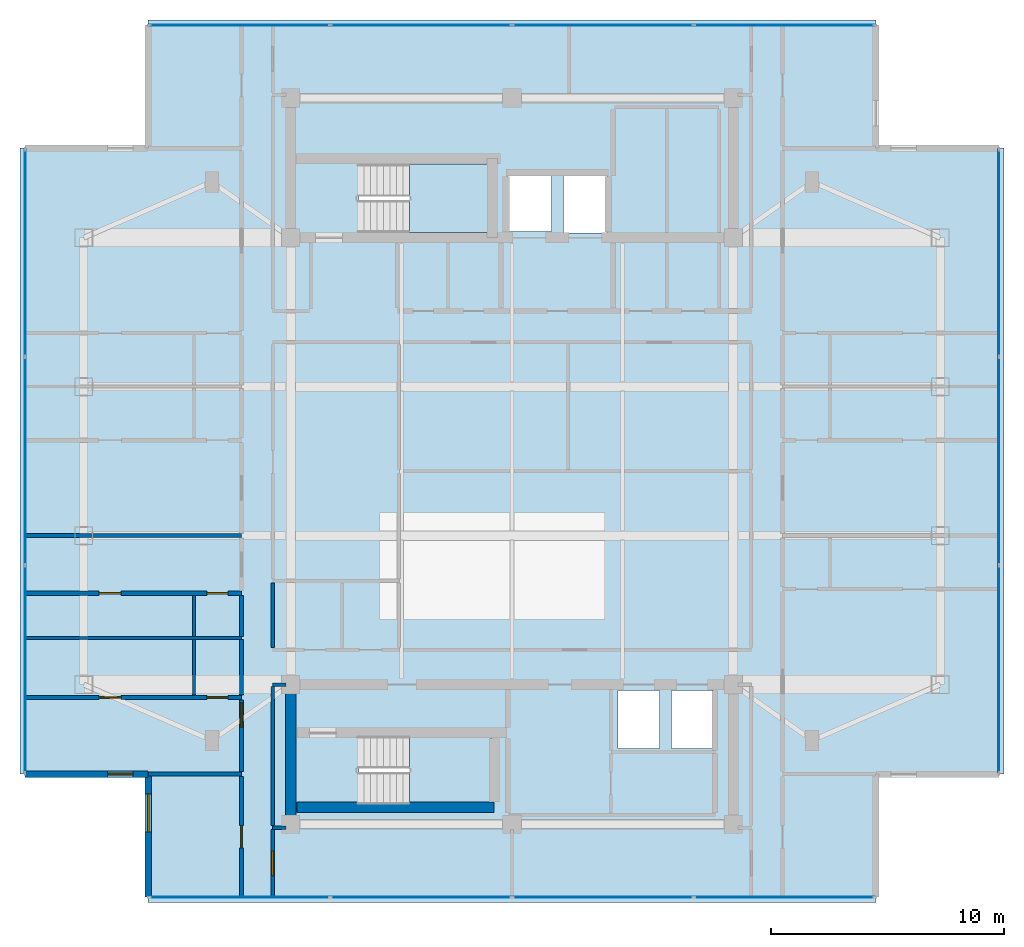
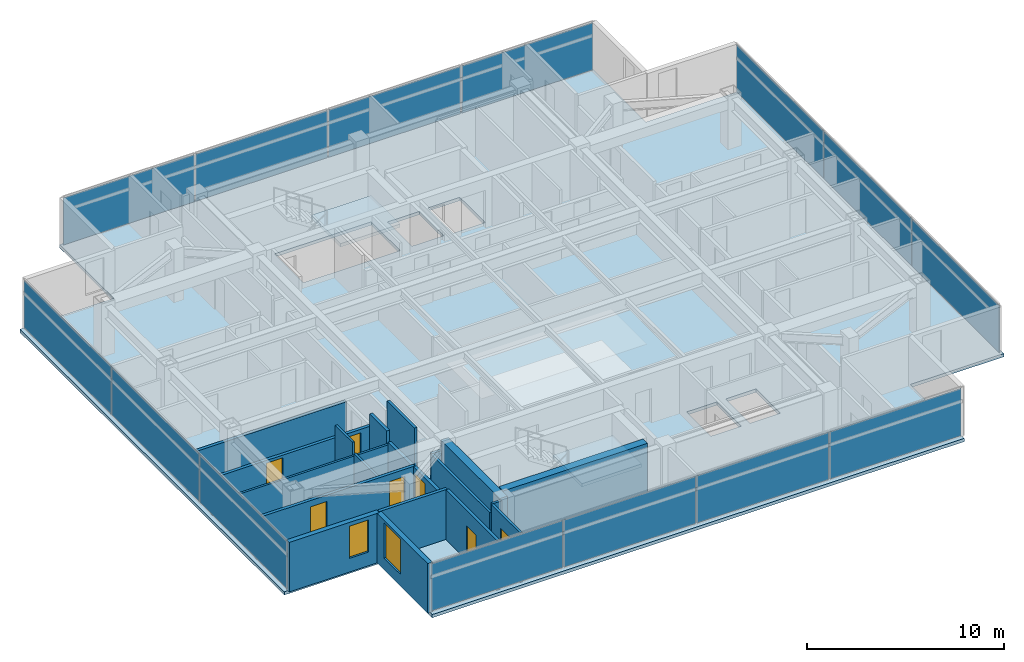
# One storey, part 7 of 15: 20 walls, 14 plates, 7 doors, 3 slabs, 2 windows, 9 openings, 6 elements without a shape of their own.
"""IFC4 building model written with IfcOpenShell, lengths in metres."""

from ifc_helpers import new_model, si_unit, direction, frame, frame_2d, origin, origin_2d, place, context, subcontext, project, spatial, polyline, rectangle, outline, extrude, material, layer, layer_set, type_object, element, fill, aggregate, save


model = new_model("IFC4")

# Units and contexts
model_context = context("Model", 3, precision=1e-05, world=origin(), true_north=direction((0.0, 1.0)))
body_context = subcontext(model_context, "Body", "Model", "MODEL_VIEW")
ifc_project = project(units=[si_unit("LENGTHUNIT", "METRE"), si_unit("AREAUNIT", "SQUARE_METRE"), si_unit("VOLUMEUNIT", "CUBIC_METRE"), si_unit("PLANEANGLEUNIT", "RADIAN"), si_unit("MASSUNIT", "GRAM", prefix="KILO")], contexts=[model_context])

# Site, building, storey
site_placement = place(None, origin())
site = spatial("IfcSite", under=ifc_project, at=site_placement, CompositionType="ELEMENT")
building_placement = place(site_placement, origin())
building = spatial("IfcBuilding", under=site, at=building_placement, Name="Mirazonda Arch Towers", CompositionType="ELEMENT")
storey_placement = place(building_placement, frame((0.0, 0.0, 229.300048828125)))
storey = spatial("IfcBuildingStorey", under=building, at=storey_placement, Name="L65", CompositionType="ELEMENT", Elevation=229.300048828125)

# Curtain wall, plates
ifc_material_1 = material(Name="Anodised Aluminium and Low-E Glass", Category="aluminium")
curtain_wall_type = type_object("IfcCurtainWallType", Name="CW-RES-UNIT", PredefinedType="NOTDEFINED", material=ifc_material_1)
curtain_wall_1_placement = place(storey_placement, origin())
curtain_wall_1 = element("IfcCurtainWall", 1, at=curtain_wall_1_placement, inside=storey, type_object=curtain_wall_type, Name="L65 T1 S Facade CW-L65-T1-S", PredefinedType="NOTDEFINED")
ifc_material_2 = material(Name="Insulated Low-E Solar Glass", Category="glass")
ifc_layer_1 = layer(ifc_material_2, 0.0400390625, Name="PAN-CW-RES-UNIT")
ifc_layer_set_1 = layer_set([ifc_layer_1], Name="Insulated Low-E Solar Glass")
plate_type = type_object("IfcPlateType", Name="PAN-CW-RES-UNIT", PredefinedType="CURTAIN_PANEL", material=ifc_layer_set_1)
plate_1_placement = place(storey_placement, frame((32.203857421875, 9.26611328125, 0.0751953125), z_axis=(0.0, 0.0, 1.0), x_axis=(-1.0, 0.0, 0.0)))
plate_1 = element("IfcPlate", 2, at=plate_1_placement, type_object=plate_type, Name="CW-104 panel 1.1", PredefinedType="CURTAIN_PANEL", context=body_context, shape_type="SweptSolid", body=[
    extrude(rectangle(XDim=7.702392578125, YDim=0.0400390625, at=origin_2d()), origin(), (0.0, 0.0, 1.0), 2.929931640625),
])
plate_2_placement = place(storey_placement, frame((24.407470703125, 9.26611328125, 0.0751953125), z_axis=(0.0, 0.0, 1.0), x_axis=(-1.0, 0.0, 0.0)))
plate_2 = element("IfcPlate", 3, at=plate_2_placement, type_object=plate_type, Name="CW-104 panel 2.1", PredefinedType="CURTAIN_PANEL", context=body_context, shape_type="SweptSolid", body=[
    extrude(rectangle(XDim=7.739990234375, YDim=0.0400390625, at=origin_2d()), origin(), (0.0, 0.0, 1.0), 2.929931640625),
])
plate_3_placement = place(storey_placement, frame((16.592529296875, 9.26611328125, 0.0751953125), z_axis=(0.0, 0.0, 1.0), x_axis=(-1.0, 0.0, 0.0)))
plate_3 = element("IfcPlate", 4, at=plate_3_placement, type_object=plate_type, Name="CW-104 panel 3.1", PredefinedType="CURTAIN_PANEL", context=body_context, shape_type="SweptSolid", body=[
    extrude(rectangle(XDim=7.739990234375, YDim=0.0400390625, at=origin_2d()), origin(), (0.0, 0.0, 1.0), 2.929931640625),
])
plate_4_placement = place(storey_placement, frame((8.796142578125, 9.26611328125, 0.0751953125), z_axis=(0.0, 0.0, 1.0), x_axis=(-1.0, 0.0, 0.0)))
plate_4 = element("IfcPlate", 5, at=plate_4_placement, type_object=plate_type, Name="CW-104 panel 4.1", PredefinedType="CURTAIN_PANEL", context=body_context, shape_type="SweptSolid", body=[
    extrude(rectangle(XDim=7.702392578125, YDim=0.0400390625, at=origin_2d()), origin(), (0.0, 0.0, 1.0), 2.929931640625),
])
aggregate(curtain_wall_1, [plate_1, plate_2, plate_3, plate_4])

curtain_wall_2_placement = place(storey_placement, origin())
curtain_wall_2 = element("IfcCurtainWall", 6, at=curtain_wall_2_placement, inside=storey, type_object=curtain_wall_type, Name="L65 T1 E Facade CW-L65-T1-E", PredefinedType="NOTDEFINED")
plate_5_placement = place(storey_placement, frame((41.419921875, 19.05615234375, 0.0751953125), z_axis=(0.0, 0.0, 1.0), x_axis=(0.0, 1.0, 0.0)))
plate_5 = element("IfcPlate", 7, at=plate_5_placement, type_object=plate_type, Name="CW-104 panel 1.1", PredefinedType="CURTAIN_PANEL", context=body_context, shape_type="SweptSolid", body=[
    extrude(rectangle(XDim=8.85009765625, YDim=0.0400390625, at=origin_2d()), origin(), (0.0, 0.0, 1.0), 2.929931640625),
])
plate_6_placement = place(storey_placement, frame((41.419921875, 28.0, 0.0751953125), z_axis=(0.0, 0.0, 1.0), x_axis=(0.0, 1.0, 0.0)))
plate_6 = element("IfcPlate", 8, at=plate_6_placement, type_object=plate_type, Name="CW-104 panel 2.1", PredefinedType="CURTAIN_PANEL", context=body_context, shape_type="SweptSolid", body=[
    extrude(rectangle(XDim=8.8876953125, YDim=0.0400390625, at=origin_2d()), origin(), (0.0, 0.0, 1.0), 2.929931640625),
])
plate_7_placement = place(storey_placement, frame((41.419921875, 36.94384765625, 0.0751953125), z_axis=(0.0, 0.0, 1.0), x_axis=(0.0, 1.0, 0.0)))
plate_7 = element("IfcPlate", 9, at=plate_7_placement, type_object=plate_type, Name="CW-104 panel 3.1", PredefinedType="CURTAIN_PANEL", context=body_context, shape_type="SweptSolid", body=[
    extrude(rectangle(XDim=8.85009765625, YDim=0.0400390625, at=origin_2d()), origin(), (0.0, 0.0, 1.0), 2.929931640625),
])
aggregate(curtain_wall_2, [plate_5, plate_6, plate_7])

curtain_wall_3_placement = place(storey_placement, origin())
curtain_wall_3 = element("IfcCurtainWall", 10, at=curtain_wall_3_placement, inside=storey, type_object=curtain_wall_type, Name="L65 T1 N Facade CW-L65-T1-N", PredefinedType="NOTDEFINED")
plate_8_placement = place(storey_placement, frame((8.796142578125, 46.73388671875, 0.0751953125), z_axis=(0.0, 0.0, 1.0), x_axis=(1.0, 0.0, 0.0)))
plate_8 = element("IfcPlate", 11, at=plate_8_placement, type_object=plate_type, Name="CW-104 panel 1.1", PredefinedType="CURTAIN_PANEL", context=body_context, shape_type="SweptSolid", body=[
    extrude(rectangle(XDim=7.702392578125, YDim=0.0400390625, at=origin_2d()), origin(), (0.0, 0.0, 1.0), 2.929931640625),
])
plate_9_placement = place(storey_placement, frame((16.592529296875, 46.73388671875, 0.0751953125), z_axis=(0.0, 0.0, 1.0), x_axis=(1.0, 0.0, 0.0)))
plate_9 = element("IfcPlate", 12, at=plate_9_placement, type_object=plate_type, Name="CW-104 panel 2.1", PredefinedType="CURTAIN_PANEL", context=body_context, shape_type="SweptSolid", body=[
    extrude(rectangle(XDim=7.739990234375, YDim=0.0400390625, at=origin_2d()), origin(), (0.0, 0.0, 1.0), 2.929931640625),
])
plate_10_placement = place(storey_placement, frame((24.407470703125, 46.73388671875, 0.0751953125), z_axis=(0.0, 0.0, 1.0), x_axis=(1.0, 0.0, 0.0)))
plate_10 = element("IfcPlate", 13, at=plate_10_placement, type_object=plate_type, Name="CW-104 panel 3.1", PredefinedType="CURTAIN_PANEL", context=body_context, shape_type="SweptSolid", body=[
    extrude(rectangle(XDim=7.739990234375, YDim=0.0400390625, at=origin_2d()), origin(), (0.0, 0.0, 1.0), 2.929931640625),
])
plate_11_placement = place(storey_placement, frame((32.203857421875, 46.73388671875, 0.0751953125), z_axis=(0.0, 0.0, 1.0), x_axis=(1.0, 0.0, 0.0)))
plate_11 = element("IfcPlate", 14, at=plate_11_placement, type_object=plate_type, Name="CW-104 panel 4.1", PredefinedType="CURTAIN_PANEL", context=body_context, shape_type="SweptSolid", body=[
    extrude(rectangle(XDim=7.702392578125, YDim=0.0400390625, at=origin_2d()), origin(), (0.0, 0.0, 1.0), 2.929931640625),
])
aggregate(curtain_wall_3, [plate_8, plate_9, plate_10, plate_11])

curtain_wall_4_placement = place(storey_placement, origin())
curtain_wall_4 = element("IfcCurtainWall", 15, at=curtain_wall_4_placement, inside=storey, type_object=curtain_wall_type, Name="L65 T1 W Facade CW-L65-T1-W", PredefinedType="NOTDEFINED")
plate_12_placement = place(storey_placement, frame((-0.419921875, 36.94384765625, 0.0751953125), z_axis=(0.0, 0.0, 1.0), x_axis=(0.0, -1.0, 0.0)))
plate_12 = element("IfcPlate", 16, at=plate_12_placement, type_object=plate_type, Name="CW-104 panel 1.1", PredefinedType="CURTAIN_PANEL", context=body_context, shape_type="SweptSolid", body=[
    extrude(rectangle(XDim=8.85009765625, YDim=0.0400390625, at=origin_2d()), origin(), (0.0, 0.0, 1.0), 2.929931640625),
])
plate_13_placement = place(storey_placement, frame((-0.419921875, 28.0, 0.0751953125), z_axis=(0.0, 0.0, 1.0), x_axis=(0.0, -1.0, 0.0)))
plate_13 = element("IfcPlate", 17, at=plate_13_placement, type_object=plate_type, Name="CW-104 panel 2.1", PredefinedType="CURTAIN_PANEL", context=body_context, shape_type="SweptSolid", body=[
    extrude(rectangle(XDim=8.8876953125, YDim=0.0400390625, at=origin_2d()), origin(), (0.0, 0.0, 1.0), 2.929931640625),
])
plate_14_placement = place(storey_placement, frame((-0.419921875, 19.05615234375, 0.0751953125), z_axis=(0.0, 0.0, 1.0), x_axis=(0.0, -1.0, 0.0)))
plate_14 = element("IfcPlate", 18, at=plate_14_placement, type_object=plate_type, Name="CW-104 panel 3.1", PredefinedType="CURTAIN_PANEL", context=body_context, shape_type="SweptSolid", body=[
    extrude(rectangle(XDim=8.85009765625, YDim=0.0400390625, at=origin_2d()), origin(), (0.0, 0.0, 1.0), 2.929931640625),
])
aggregate(curtain_wall_4, [plate_12, plate_13, plate_14])

# Stair, slab
ifc_material_3 = material(Name="Concrete C40/50", Category="concrete")
stair_type = type_object("IfcStairType", Name="STAIR-CORE-1400", PredefinedType="HALF_TURN_STAIR", material=ifc_material_3)
stair_1_placement = place(storey_placement, origin())
stair_1 = element("IfcStair", 19, at=stair_1_placement, inside=storey, type_object=stair_type, Name="L65 Protected Exit Stair ST-T1N", PredefinedType="HALF_TURN_STAIR")
ifc_layer_2 = layer(ifc_material_3, 0.18994140625, Name="SLAB-LANDING-190")
ifc_layer_set_2 = layer_set([ifc_layer_2], Name="Concrete C40/50")
slab_type_1 = type_object("IfcSlabType", Name="SLAB-LANDING-190", PredefinedType="LANDING", material=ifc_layer_set_2)
slab_1_placement = place(storey_placement, frame((0.0, 0.0, 1.449951171875)))
slab_1 = element("IfcSlab", 20, at=slab_1_placement, type_object=slab_type_1, Name="ST-T1N landing 1", PredefinedType="LANDING", context=body_context, shape_type="SweptSolid", body=[
    extrude(outline(polyline([(16.090087890625, 37.820068359375), (19.60009765625, 37.820068359375), (19.60009765625, 40.760009765625), (16.090087890625, 40.760009765625), (16.090087890625, 37.820068359375)])), origin(), (0.0, 0.0, 1.0), 0.199951171875),
])
aggregate(stair_1, [slab_1])

stair_2_placement = place(storey_placement, origin())
stair_2 = element("IfcStair", 21, at=stair_2_placement, inside=storey, type_object=stair_type, Name="L65 Protected Exit Stair ST-T1S", PredefinedType="HALF_TURN_STAIR")
slab_2_placement = place(storey_placement, frame((0.0, 0.0, 1.449951171875)))
slab_2 = element("IfcSlab", 22, at=slab_2_placement, type_object=slab_type_1, Name="ST-T1S landing 1", PredefinedType="LANDING", context=body_context, shape_type="SweptSolid", body=[
    extrude(outline(polyline([(16.090087890625, 13.25), (19.60009765625, 13.25), (19.60009765625, 16.18994140625), (16.090087890625, 16.18994140625), (16.090087890625, 13.25)])), origin(), (0.0, 0.0, 1.0), 0.199951171875),
])
aggregate(stair_2, [slab_2])

# Slab
ifc_layer_3 = layer(ifc_material_3, 0.199951171875, Name="SLAB-TWR-200")
ifc_layer_set_3 = layer_set([ifc_layer_3], Name="Concrete C40/50")
slab_type_2 = type_object("IfcSlabType", Name="SLAB-TWR-200", PredefinedType="FLOOR", material=ifc_layer_set_3)
slab_3_placement = place(storey_placement, frame((0.0, 0.0, -0.199951171875)))
element("IfcSlab", 23, at=slab_3_placement, inside=storey, type_object=slab_type_2, Name="L65 Tower 1 Floor Slab", PredefinedType="FLOOR", context=body_context, shape_type="SweptSolid", body=[
    extrude(outline(polyline([(4.8701171875, 9.0458984375), (36.1298828125, 9.0458984375), (36.1298828125, 14.555908203125), (41.639892578125, 14.555908203125), (41.639892578125, 41.444091796875), (36.1298828125, 41.444091796875), (36.1298828125, 46.9541015625), (4.8701171875, 46.9541015625), (4.8701171875, 41.444091796875), (-0.639892578125, 41.444091796875), (-0.639892578125, 14.555908203125), (4.8701171875, 14.555908203125), (4.8701171875, 9.0458984375)]), holes=[polyline([(27.360107421875, 18.139892578125), (29.139892578125, 18.139892578125), (29.139892578125, 15.659912109375), (27.360107421875, 15.659912109375), (27.360107421875, 18.139892578125)]), polyline([(25.06005859375, 18.139892578125), (26.840087890625, 18.139892578125), (26.840087890625, 15.659912109375), (25.06005859375, 15.659912109375), (25.06005859375, 18.139892578125)]), polyline([(22.7099609375, 40.389892578125), (24.590087890625, 40.389892578125), (24.590087890625, 37.81005859375), (22.7099609375, 37.81005859375), (22.7099609375, 40.389892578125)]), polyline([(20.31005859375, 37.860107421875), (20.31005859375, 40.340087890625), (22.18994140625, 40.340087890625), (22.18994140625, 37.860107421875), (20.31005859375, 37.860107421875)]), polyline([(19.60009765625, 13.25), (13.925048828125, 13.25), (13.925048828125, 16.18994140625), (19.60009765625, 16.18994140625), (19.60009765625, 13.25)]), polyline([(13.925048828125, 37.820068359375), (13.925048828125, 40.760009765625), (19.60009765625, 40.760009765625), (19.60009765625, 37.820068359375), (13.925048828125, 37.820068359375)])]), origin(), (0.0, 0.0, 1.0), 0.199951171875),
])

# Walls
ifc_material_4 = material(Name="Concrete C50/60", Category="concrete")
ifc_layer_4 = layer(ifc_material_4, 0.449951171875, Name="WALL-CORE-450")
ifc_layer_set_4 = layer_set([ifc_layer_4], Name="Concrete C50/60")
wall_type_1 = type_object("IfcWallType", Name="WALL-CORE-450", PredefinedType="SHEAR", material=ifc_layer_set_4)
wall_1_placement = place(storey_placement, frame((11.0, 12.39990234375, 0.0), z_axis=(0.0, 0.0, 1.0), x_axis=(0.0, 1.0, 0.0)))
element("IfcWall", 24, at=wall_1_placement, inside=storey, type_object=wall_type_1, Name="L65 T1S-W Core Shear Wall", PredefinedType="SHEAR", context=body_context, shape_type="SweptSolid", body=[
    extrude(rectangle(XDim=6.0, YDim=0.449951171875, at=frame_2d((3.0, 0.0))), origin(), (0.0, 0.0, 1.0), 3.099853515625),
])
wall_2_placement = place(storey_placement, frame((11.27001953125, 13.1201171875, 0.0), z_axis=(0.0, 0.0, 1.0), x_axis=(1.0, 0.0, 0.0)))
element("IfcWall", 25, at=wall_2_placement, inside=storey, type_object=wall_type_1, Name="L65 Stair Core Shear Wall 004", PredefinedType="SHEAR", context=body_context, shape_type="SweptSolid", body=[
    extrude(rectangle(XDim=8.4599609375, YDim=0.449951171875, at=frame_2d((4.22998046875, 0.0))), origin(), (0.0, 0.0, 1.0), 3.099853515625),
])

# Wall, opening, window
ifc_material_5 = material(Name="Precast Concrete C40/50", Category="concrete")
ifc_layer_5 = layer(ifc_material_5, 0.280029296875, Name="WALL-EXT-WALL-280")
ifc_layer_set_5 = layer_set([ifc_layer_5], Name="Precast Concrete C40/50")
wall_type_2 = type_object("IfcWallType", Name="WALL-EXT-WALL-280", PredefinedType="SOLIDWALL", material=ifc_layer_set_5)
wall_3_placement = place(storey_placement, frame((4.8701171875, 14.555908203125, 0.0), z_axis=(0.0, 0.0, 1.0), x_axis=(0.0, -1.0, 0.0)))
wall_3 = element("IfcWall", 26, at=wall_3_placement, inside=storey, type_object=wall_type_2, Name="L65 T1 Notched SW Corner Wall WL-L65-T1-CSW", PredefinedType="SOLIDWALL", context=body_context, shape_type="SweptSolid", body=[
    extrude(rectangle(XDim=5.289794921875, YDim=0.280029296875, at=frame_2d((2.64501953125, 0.0))), origin(), (0.0, 0.0, 1.0), 3.079833984375),
])
opening_1_placement = place(wall_3_placement, frame((0.85009765625, 0.0, 0.72998046875)))
opening_1 = element("IfcOpeningElement", 27, at=opening_1_placement, cuts=wall_3, Name="Opening WN-115", PredefinedType="OPENING", context=body_context, shape_type="SweptSolid", body=[
    extrude(rectangle(XDim=1.64990234375, YDim=2.199951171875, at=frame_2d((0.824951171875, 1.10009765625))), frame((0.0, 0.14990234375, 0.0), z_axis=(0.0, -1.0, 0.0), x_axis=(1.0, 0.0, 0.0)), (0.0, 0.0, 1.0), 0.300048828125),
])
window_type_1 = type_object("IfcWindowType", Name="WIN-RES-1650x2200", PartitioningType="SINGLE_PANEL", PredefinedType="WINDOW", material=ifc_material_2)
window_1_placement = place(opening_1_placement, origin())
window_1 = element("IfcWindow", 28, at=window_1_placement, inside=storey, type_object=window_type_1, Name="L65 Punched Facade Window WN-L65-T1-CSW", OverallHeight=2.199951171875, OverallWidth=1.64990234375, PartitioningType="SINGLE_PANEL", PredefinedType="WINDOW", context=body_context, shape_type="SweptSolid", body=[
    extrude(rectangle(XDim=1.64990234375, YDim=2.199951171875, at=frame_2d((0.824951171875, 1.10009765625))), frame((0.0, 0.030029296875, 0.0), z_axis=(0.0, -1.0, 0.0), x_axis=(1.0, 0.0, 0.0)), (0.0, 0.0, 1.0), 0.06005859375),
])
fill(opening_1, window_1)

wall_4_placement = place(storey_placement, frame((-0.419921875, 14.555908203125, 0.0), z_axis=(0.0, 0.0, 1.0), x_axis=(1.0, 0.0, 0.0)))
wall_4 = element("IfcWall", 29, at=wall_4_placement, inside=storey, type_object=wall_type_2, Name="L65 T1 Corner Notch Return Wall WL-L65-T1-CSW2", PredefinedType="SOLIDWALL", context=body_context, shape_type="SweptSolid", body=[
    extrude(rectangle(XDim=5.2900390625, YDim=0.280029296875, at=frame_2d((2.64501953125, 0.0))), origin(), (0.0, 0.0, 1.0), 3.079833984375),
])
opening_2_placement = place(wall_4_placement, frame((3.5400390625, 0.0, 0.85009765625)))
opening_2 = element("IfcOpeningElement", 30, at=opening_2_placement, cuts=wall_4, Name="Opening WN-108", PredefinedType="OPENING", context=body_context, shape_type="SweptSolid", body=[
    extrude(rectangle(XDim=1.10009765625, YDim=2.0, at=frame_2d((0.550048828125, 1.0))), frame((0.0, 0.14990234375, 0.0), z_axis=(0.0, -1.0, 0.0), x_axis=(1.0, 0.0, 0.0)), (0.0, 0.0, 1.0), 0.300048828125),
])
window_type_2 = type_object("IfcWindowType", Name="WIN-NOTCH-1100x2000", PartitioningType="SINGLE_PANEL", PredefinedType="WINDOW", material=ifc_material_2)
window_2_placement = place(opening_2_placement, origin())
window_2 = element("IfcWindow", 31, at=window_2_placement, inside=storey, type_object=window_type_2, Name="L65 Punched Facade Window WN-L65-T1-CSW2", OverallHeight=2.0, OverallWidth=1.10009765625, PartitioningType="SINGLE_PANEL", PredefinedType="WINDOW", context=body_context, shape_type="SweptSolid", body=[
    extrude(rectangle(XDim=1.10009765625, YDim=2.0, at=frame_2d((0.550048828125, 1.0))), frame((0.0, 0.030029296875, 0.0), z_axis=(0.0, -1.0, 0.0), x_axis=(1.0, 0.0, 0.0)), (0.0, 0.0, 1.0), 0.06005859375),
])
fill(opening_2, window_2)

# Walls
ifc_material_6 = material(Name="Fire-Rated Gypsum Stud Partition")
ifc_layer_6 = layer(ifc_material_6, 0.14990234375, Name="WALL-PART-CORR-150")
ifc_layer_set_6 = layer_set([ifc_layer_6], Name="Fire-Rated Gypsum Stud Partition")
wall_type_3 = type_object("IfcWallType", Name="WALL-PART-CORR-150", PredefinedType="PARTITIONING", material=ifc_layer_set_6)
wall_5_placement = place(storey_placement, frame((10.219970703125, 12.25, 0.0), z_axis=(0.0, 0.0, 1.0), x_axis=(1.0, 0.0, 0.0)))
element("IfcWall", 32, at=wall_5_placement, inside=storey, type_object=wall_type_3, Name="L65 Interior Partition 001", PredefinedType="PARTITIONING", context=body_context, shape_type="SweptSolid", body=[
    extrude(rectangle(XDim=0.56005859375, YDim=0.14990234375, at=frame_2d((0.280029296875, 0.0))), origin(), (0.0, 0.0, 1.0), 3.099853515625),
])
wall_6_placement = place(storey_placement, frame((10.219970703125, 18.39990234375, 0.0), z_axis=(0.0, 0.0, 1.0), x_axis=(1.0, 0.0, 0.0)))
element("IfcWall", 33, at=wall_6_placement, inside=storey, type_object=wall_type_3, Name="L65 Interior Partition 010", PredefinedType="PARTITIONING", context=body_context, shape_type="SweptSolid", body=[
    extrude(rectangle(XDim=0.56005859375, YDim=0.14990234375, at=frame_2d((0.280029296875, 0.0))), origin(), (0.0, 0.0, 1.0), 2.491943359375),
])

# Wall, opening, door
wall_7_placement = place(storey_placement, frame((10.219970703125, 9.26611328125, 0.0), z_axis=(0.0, 0.0, 1.0), x_axis=(0.0, 1.0, 0.0)))
wall_7 = element("IfcWall", 34, at=wall_7_placement, inside=storey, type_object=wall_type_3, Name="L65 Interior Partition 049", PredefinedType="PARTITIONING", context=body_context, shape_type="SweptSolid", body=[
    extrude(rectangle(XDim=2.89892578125, YDim=0.14990234375, at=frame_2d((1.449462890625, 0.0))), origin(), (0.0, 0.0, 1.0), 3.099853515625),
])
opening_3_placement = place(wall_7_placement, frame((0.924560546875, 0.0, 0.0)))
opening_3 = element("IfcOpeningElement", 35, at=opening_3_placement, cuts=wall_7, Name="Opening DR-121", PredefinedType="OPENING", context=body_context, shape_type="SweptSolid", body=[
    extrude(rectangle(XDim=1.050048828125, YDim=2.199951171875, at=frame_2d((0.52490234375, 1.10009765625))), frame((0.0, 0.0849609375, 0.0), z_axis=(0.0, -1.0, 0.0), x_axis=(1.0, 0.0, 0.0)), (0.0, 0.0, 1.0), 0.169921875),
])
ifc_material_7 = material(Name="Architectural Brushed Steel S355", Category="steel")
door_type_1 = type_object("IfcDoorType", Name="DOOR-SUITE-FD60-1050", OperationType="NOTDEFINED", PredefinedType="DOOR", material=ifc_material_7)
door_1_placement = place(opening_3_placement, origin())
door_1 = element("IfcDoor", 36, at=door_1_placement, inside=storey, type_object=door_type_1, Name="L65 South Horizon Lounge West Door", OperationType="SINGLE_SWING_RIGHT", OverallHeight=2.199951171875, OverallWidth=1.050048828125, PredefinedType="DOOR", context=body_context, shape_type="SweptSolid", body=[
    extrude(rectangle(XDim=1.050048828125, YDim=2.199951171875, at=frame_2d((0.52490234375, 1.10009765625))), frame((0.0, 0.02490234375, 0.0), z_axis=(0.0, -1.0, 0.0), x_axis=(1.0, 0.0, 0.0)), (0.0, 0.0, 1.0), 0.050048828125),
])
fill(opening_3, door_1)

# Walls
wall_8_placement = place(storey_placement, frame((10.219970703125, 12.3349609375, 0.0), z_axis=(0.0, 0.0, 1.0), x_axis=(0.0, 1.0, 0.0)))
element("IfcWall", 37, at=wall_8_placement, inside=storey, type_object=wall_type_3, Name="L65 Interior Partition 050", PredefinedType="PARTITIONING", context=body_context, shape_type="SweptSolid", body=[
    extrude(rectangle(XDim=5.97998046875, YDim=0.14990234375, at=frame_2d((2.989990234375, 0.0))), origin(), (0.0, 0.0, 1.0), 2.491943359375),
])
wall_9_placement = place(storey_placement, frame((10.219970703125, 19.985107421875, 0.0), z_axis=(0.0, 0.0, 1.0), x_axis=(0.0, 1.0, 0.0)))
element("IfcWall", 38, at=wall_9_placement, inside=storey, type_object=wall_type_3, Name="L65 Interior Partition 051", PredefinedType="PARTITIONING", context=body_context, shape_type="SweptSolid", body=[
    extrude(rectangle(XDim=2.77978515625, YDim=0.14990234375, at=frame_2d((1.389892578125, 0.0))), origin(), (0.0, 0.0, 1.0), 3.099853515625),
])
ifc_material_8 = material(Name="Fire-Rated Gypsum Twin-Stud Assembly")
ifc_layer_7 = layer(ifc_material_8, 0.179931640625, Name="WALL-PART-DEMISE-180")
ifc_layer_set_7 = layer_set([ifc_layer_7], Name="Fire-Rated Gypsum Twin-Stud Assembly")
wall_type_4 = type_object("IfcWallType", Name="WALL-PART-DEMISE-180", PredefinedType="PARTITIONING", material=ifc_layer_set_7)
wall_10_placement = place(storey_placement, frame((4.889892578125, 14.555908203125, 0.0), z_axis=(0.0, 0.0, 1.0), x_axis=(1.0, 0.0, 0.0)))
element("IfcWall", 39, at=wall_10_placement, inside=storey, type_object=wall_type_4, Name="L65 Interior Partition 005", PredefinedType="PARTITIONING", context=body_context, shape_type="SweptSolid", body=[
    extrude(rectangle(XDim=3.989990234375, YDim=0.179931640625, at=frame_2d((1.9951171875, 0.0))), origin(), (0.0, 0.0, 1.0), 3.099853515625),
])

# Wall, openings, doors
wall_11_placement = place(storey_placement, frame((-0.419921875, 17.845947265625, 0.0), z_axis=(0.0, 0.0, 1.0), x_axis=(1.0, 0.0, 0.0)))
wall_11 = element("IfcWall", 40, at=wall_11_placement, inside=storey, type_object=wall_type_4, Name="L65 Interior Partition 009", PredefinedType="PARTITIONING", context=body_context, shape_type="SweptSolid", body=[
    extrude(rectangle(XDim=9.2998046875, YDim=0.179931640625, at=frame_2d((4.64990234375, 0.0))), origin(), (0.0, 0.0, 1.0), 2.54296875),
])
opening_4_placement = place(wall_11_placement, frame((3.175048828125, 0.0, 0.0)))
opening_4 = element("IfcOpeningElement", 41, at=opening_4_placement, cuts=wall_11, Name="Opening DR-104", PredefinedType="OPENING", context=body_context, shape_type="SweptSolid", body=[
    extrude(rectangle(XDim=0.949951171875, YDim=2.14990234375, at=frame_2d((0.47509765625, 1.074951171875))), frame((0.0, 0.099853515625, 0.0), z_axis=(0.0, -1.0, 0.0), x_axis=(1.0, 0.0, 0.0)), (0.0, 0.0, 1.0), 0.199951171875),
])
opening_5_placement = place(wall_11_placement, frame((7.81005859375, 0.0, 0.0)))
opening_5 = element("IfcOpeningElement", 42, at=opening_5_placement, cuts=wall_11, Name="Opening DR-120", PredefinedType="OPENING", context=body_context, shape_type="SweptSolid", body=[
    extrude(rectangle(XDim=0.89990234375, YDim=2.10009765625, at=frame_2d((0.449951171875, 1.050048828125))), frame((0.0, 0.099853515625, 0.0), z_axis=(0.0, -1.0, 0.0), x_axis=(1.0, 0.0, 0.0)), (0.0, 0.0, 1.0), 0.199951171875),
])
door_type_2 = type_object("IfcDoorType", Name="DOOR-ROOM-950", OperationType="NOTDEFINED", PredefinedType="DOOR", material=ifc_material_7)
door_2_placement = place(opening_4_placement, origin())
door_2 = element("IfcDoor", 43, at=door_2_placement, inside=storey, type_object=door_type_2, Name="L65 Guestroom Study 1 Door", OperationType="SINGLE_SWING_LEFT", OverallHeight=2.14990234375, OverallWidth=0.949951171875, PredefinedType="DOOR", context=body_context, shape_type="SweptSolid", body=[
    extrude(rectangle(XDim=0.949951171875, YDim=2.14990234375, at=frame_2d((0.47509765625, 1.074951171875))), frame((0.0, 0.02490234375, 0.0), z_axis=(0.0, -1.0, 0.0), x_axis=(1.0, 0.0, 0.0)), (0.0, 0.0, 1.0), 0.050048828125),
])
fill(opening_4, door_2)
door_type_3 = type_object("IfcDoorType", Name="DOOR-WC-900", OperationType="NOTDEFINED", PredefinedType="DOOR", material=ifc_material_7)
door_3_placement = place(opening_5_placement, origin())
door_3 = element("IfcDoor", 44, at=door_3_placement, inside=storey, type_object=door_type_3, Name="L65 En-Suite Bathroom 1 Door", OperationType="SINGLE_SWING_RIGHT", OverallHeight=2.10009765625, OverallWidth=0.89990234375, PredefinedType="DOOR", context=body_context, shape_type="SweptSolid", body=[
    extrude(rectangle(XDim=0.89990234375, YDim=2.10009765625, at=frame_2d((0.449951171875, 1.050048828125))), frame((0.0, 0.02490234375, 0.0), z_axis=(0.0, -1.0, 0.0), x_axis=(1.0, 0.0, 0.0)), (0.0, 0.0, 1.0), 0.050048828125),
])
fill(opening_5, door_3)

wall_12_placement = place(storey_placement, frame((-0.419921875, 22.320068359375, 0.0), z_axis=(0.0, 0.0, 1.0), x_axis=(1.0, 0.0, 0.0)))
wall_12 = element("IfcWall", 45, at=wall_12_placement, inside=storey, type_object=wall_type_4, Name="L65 Interior Partition 014", PredefinedType="PARTITIONING", context=body_context, shape_type="SweptSolid", body=[
    extrude(rectangle(XDim=9.2998046875, YDim=0.179931640625, at=frame_2d((4.64990234375, 0.0))), origin(), (0.0, 0.0, 1.0), 2.31884765625),
])
opening_6_placement = place(wall_12_placement, frame((3.175048828125, 0.0, 0.0)))
opening_6 = element("IfcOpeningElement", 46, at=opening_6_placement, cuts=wall_12, Name="Opening DR-104", PredefinedType="OPENING", context=body_context, shape_type="SweptSolid", body=[
    extrude(rectangle(XDim=0.949951171875, YDim=2.14990234375, at=frame_2d((0.47509765625, 1.074951171875))), frame((0.0, 0.099853515625, 0.0), z_axis=(0.0, -1.0, 0.0), x_axis=(1.0, 0.0, 0.0)), (0.0, 0.0, 1.0), 0.199951171875),
])
opening_7_placement = place(wall_12_placement, frame((7.81005859375, 0.0, 0.0)))
opening_7 = element("IfcOpeningElement", 47, at=opening_7_placement, cuts=wall_12, Name="Opening DR-120", PredefinedType="OPENING", context=body_context, shape_type="SweptSolid", body=[
    extrude(rectangle(XDim=0.89990234375, YDim=2.10009765625, at=frame_2d((0.449951171875, 1.050048828125))), frame((0.0, 0.099853515625, 0.0), z_axis=(0.0, -1.0, 0.0), x_axis=(1.0, 0.0, 0.0)), (0.0, 0.0, 1.0), 0.199951171875),
])
door_4_placement = place(opening_6_placement, origin())
door_4 = element("IfcDoor", 48, at=door_4_placement, inside=storey, type_object=door_type_2, Name="L65 Guestroom Study 2 Door", OperationType="SINGLE_SWING_RIGHT", OverallHeight=2.14990234375, OverallWidth=0.949951171875, PredefinedType="DOOR", context=body_context, shape_type="SweptSolid", body=[
    extrude(rectangle(XDim=0.949951171875, YDim=2.14990234375, at=frame_2d((0.47509765625, 1.074951171875))), frame((0.0, 0.02490234375, 0.0), z_axis=(0.0, -1.0, 0.0), x_axis=(1.0, 0.0, 0.0)), (0.0, 0.0, 1.0), 0.050048828125),
])
fill(opening_6, door_4)
door_5_placement = place(opening_7_placement, origin())
door_5 = element("IfcDoor", 49, at=door_5_placement, inside=storey, type_object=door_type_3, Name="L65 En-Suite Bathroom 2 Door", OperationType="SINGLE_SWING_LEFT", OverallHeight=2.10009765625, OverallWidth=0.89990234375, PredefinedType="DOOR", context=body_context, shape_type="SweptSolid", body=[
    extrude(rectangle(XDim=0.89990234375, YDim=2.10009765625, at=frame_2d((0.449951171875, 1.050048828125))), frame((0.0, 0.02490234375, 0.0), z_axis=(0.0, -1.0, 0.0), x_axis=(1.0, 0.0, 0.0)), (0.0, 0.0, 1.0), 0.050048828125),
])
fill(opening_7, door_5)

# Wall
wall_13_placement = place(storey_placement, frame((-0.419921875, 24.800048828125, 0.0), z_axis=(0.0, 0.0, 1.0), x_axis=(1.0, 0.0, 0.0)))
element("IfcWall", 50, at=wall_13_placement, inside=storey, type_object=wall_type_4, Name="L65 Interior Partition 017", PredefinedType="PARTITIONING", context=body_context, shape_type="SweptSolid", body=[
    extrude(rectangle(XDim=9.2998046875, YDim=0.179931640625, at=frame_2d((4.64990234375, 0.0))), origin(), (0.0, 0.0, 1.0), 2.31884765625),
])

# Wall, opening, door
wall_14_placement = place(storey_placement, frame((8.8798828125, 9.26611328125, 0.0), z_axis=(0.0, 0.0, 1.0), x_axis=(0.0, 1.0, 0.0)))
wall_14 = element("IfcWall", 51, at=wall_14_placement, inside=storey, type_object=wall_type_4, Name="L65 Interior Partition 039", PredefinedType="PARTITIONING", context=body_context, shape_type="SweptSolid", body=[
    extrude(rectangle(XDim=5.18994140625, YDim=0.179931640625, at=frame_2d((2.594970703125, 0.0))), origin(), (0.0, 0.0, 1.0), 3.099853515625),
])
opening_8_placement = place(wall_14_placement, frame((2.1201171875, 0.0, 0.0)))
opening_8 = element("IfcOpeningElement", 52, at=opening_8_placement, cuts=wall_14, Name="Opening DR-104", PredefinedType="OPENING", context=body_context, shape_type="SweptSolid", body=[
    extrude(rectangle(XDim=0.949951171875, YDim=2.14990234375, at=frame_2d((0.47509765625, 1.074951171875))), frame((0.0, 0.099853515625, 0.0), z_axis=(0.0, -1.0, 0.0), x_axis=(1.0, 0.0, 0.0)), (0.0, 0.0, 1.0), 0.199951171875),
])
door_6_placement = place(opening_8_placement, origin())
door_6 = element("IfcDoor", 53, at=door_6_placement, inside=storey, type_object=door_type_2, Name="L65 South Horizon Lounge Alcove West Door", OperationType="SINGLE_SWING_RIGHT", OverallHeight=2.14990234375, OverallWidth=0.949951171875, PredefinedType="DOOR", context=body_context, shape_type="SweptSolid", body=[
    extrude(rectangle(XDim=0.949951171875, YDim=2.14990234375, at=frame_2d((0.47509765625, 1.074951171875))), frame((0.0, 0.02490234375, 0.0), z_axis=(0.0, -1.0, 0.0), x_axis=(1.0, 0.0, 0.0)), (0.0, 0.0, 1.0), 0.050048828125),
])
fill(opening_8, door_6)

wall_15_placement = place(storey_placement, frame((8.8798828125, 14.656005859375, 0.0), z_axis=(0.0, 0.0, 1.0), x_axis=(0.0, 1.0, 0.0)))
wall_15 = element("IfcWall", 54, at=wall_15_placement, inside=storey, type_object=wall_type_4, Name="L65 Interior Partition 040", PredefinedType="PARTITIONING", context=body_context, shape_type="SweptSolid", body=[
    extrude(rectangle(XDim=3.090087890625, YDim=0.179931640625, at=frame_2d((1.544921875, 0.0))), origin(), (0.0, 0.0, 1.0), 2.54296875),
])
opening_9_placement = place(wall_15_placement, frame((1.919921875, 0.0, 0.0)))
opening_9 = element("IfcOpeningElement", 55, at=opening_9_placement, cuts=wall_15, Name="Opening DR-121", PredefinedType="OPENING", context=body_context, shape_type="SweptSolid", body=[
    extrude(rectangle(XDim=1.050048828125, YDim=2.199951171875, at=frame_2d((0.52490234375, 1.10009765625))), frame((0.0, 0.099853515625, 0.0), z_axis=(0.0, -1.0, 0.0), x_axis=(1.0, 0.0, 0.0)), (0.0, 0.0, 1.0), 0.199951171875),
])
door_7_placement = place(opening_9_placement, origin())
door_7 = element("IfcDoor", 56, at=door_7_placement, inside=storey, type_object=door_type_1, Name="L65 King Hotel Guestroom 1 Door", OperationType="SINGLE_SWING_RIGHT", OverallHeight=2.199951171875, OverallWidth=1.050048828125, PredefinedType="DOOR", context=body_context, shape_type="SweptSolid", body=[
    extrude(rectangle(XDim=1.050048828125, YDim=2.199951171875, at=frame_2d((0.52490234375, 1.10009765625))), frame((0.0, 0.02490234375, 0.0), z_axis=(0.0, -1.0, 0.0), x_axis=(1.0, 0.0, 0.0)), (0.0, 0.0, 1.0), 0.050048828125),
])
fill(opening_9, door_7)

# Walls
wall_16_placement = place(storey_placement, frame((8.8798828125, 17.946044921875, 0.0), z_axis=(0.0, 0.0, 1.0), x_axis=(0.0, 1.0, 0.0)))
element("IfcWall", 57, at=wall_16_placement, inside=storey, type_object=wall_type_4, Name="L65 Interior Partition 041", PredefinedType="PARTITIONING", context=body_context, shape_type="SweptSolid", body=[
    extrude(rectangle(XDim=2.38134765625, YDim=0.179931640625, at=frame_2d((1.190673828125, 0.0))), origin(), (0.0, 0.0, 1.0), 2.491943359375),
])
wall_17_placement = place(storey_placement, frame((8.8798828125, 20.472412109375, 0.0), z_axis=(0.0, 0.0, 1.0), x_axis=(0.0, 1.0, 0.0)))
element("IfcWall", 58, at=wall_17_placement, inside=storey, type_object=wall_type_4, Name="L65 Interior Partition 042", PredefinedType="PARTITIONING", context=body_context, shape_type="SweptSolid", body=[
    extrude(rectangle(XDim=1.74755859375, YDim=0.179931640625, at=frame_2d((0.873779296875, 0.0))), origin(), (0.0, 0.0, 1.0), 3.099853515625),
])
ifc_material_9 = material(Name="Acoustic Fire-Rated Gypsum Partition")
ifc_layer_8 = layer(ifc_material_9, 0.125, Name="WALL-PART-UNIT-125")
ifc_layer_set_8 = layer_set([ifc_layer_8], Name="Acoustic Fire-Rated Gypsum Partition")
wall_type_5 = type_object("IfcWallType", Name="WALL-PART-UNIT-125", PredefinedType="PARTITIONING", material=ifc_layer_set_8)
wall_18_placement = place(storey_placement, frame((-0.419921875, 20.39990234375, 0.0), z_axis=(0.0, 0.0, 1.0), x_axis=(1.0, 0.0, 0.0)))
element("IfcWall", 59, at=wall_18_placement, inside=storey, type_object=wall_type_5, Name="L65 Interior Partition 013", PredefinedType="PARTITIONING", context=body_context, shape_type="SweptSolid", body=[
    extrude(rectangle(XDim=9.2998046875, YDim=0.125, at=frame_2d((4.64990234375, 0.0))), origin(), (0.0, 0.0, 1.0), 2.31884765625),
])
wall_19_placement = place(storey_placement, frame((6.840087890625, 17.946044921875, 0.0), z_axis=(0.0, 0.0, 1.0), x_axis=(0.0, 1.0, 0.0)))
element("IfcWall", 60, at=wall_19_placement, inside=storey, type_object=wall_type_5, Name="L65 Interior Partition 035", PredefinedType="PARTITIONING", context=body_context, shape_type="SweptSolid", body=[
    extrude(rectangle(XDim=2.38134765625, YDim=0.125, at=frame_2d((1.190673828125, 0.0))), origin(), (0.0, 0.0, 1.0), 2.491943359375),
])
wall_20_placement = place(storey_placement, frame((6.840087890625, 20.472412109375, 0.0), z_axis=(0.0, 0.0, 1.0), x_axis=(0.0, 1.0, 0.0)))
element("IfcWall", 61, at=wall_20_placement, inside=storey, type_object=wall_type_5, Name="L65 Interior Partition 036", PredefinedType="PARTITIONING", context=body_context, shape_type="SweptSolid", body=[
    extrude(rectangle(XDim=1.74755859375, YDim=0.125, at=frame_2d((0.873779296875, 0.0))), origin(), (0.0, 0.0, 1.0), 3.099853515625),
])

save(model, "model.ifc")
